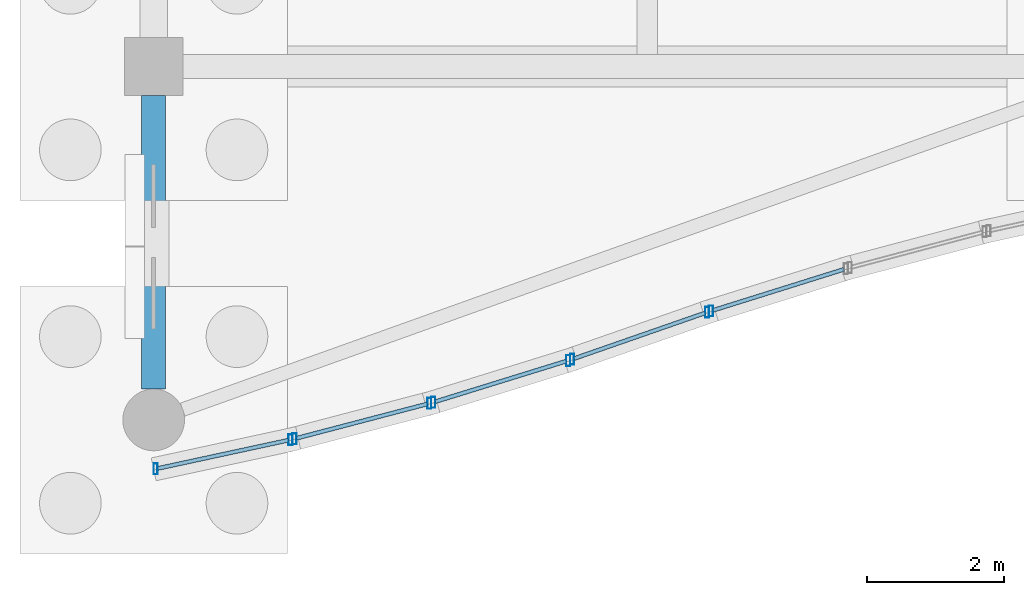
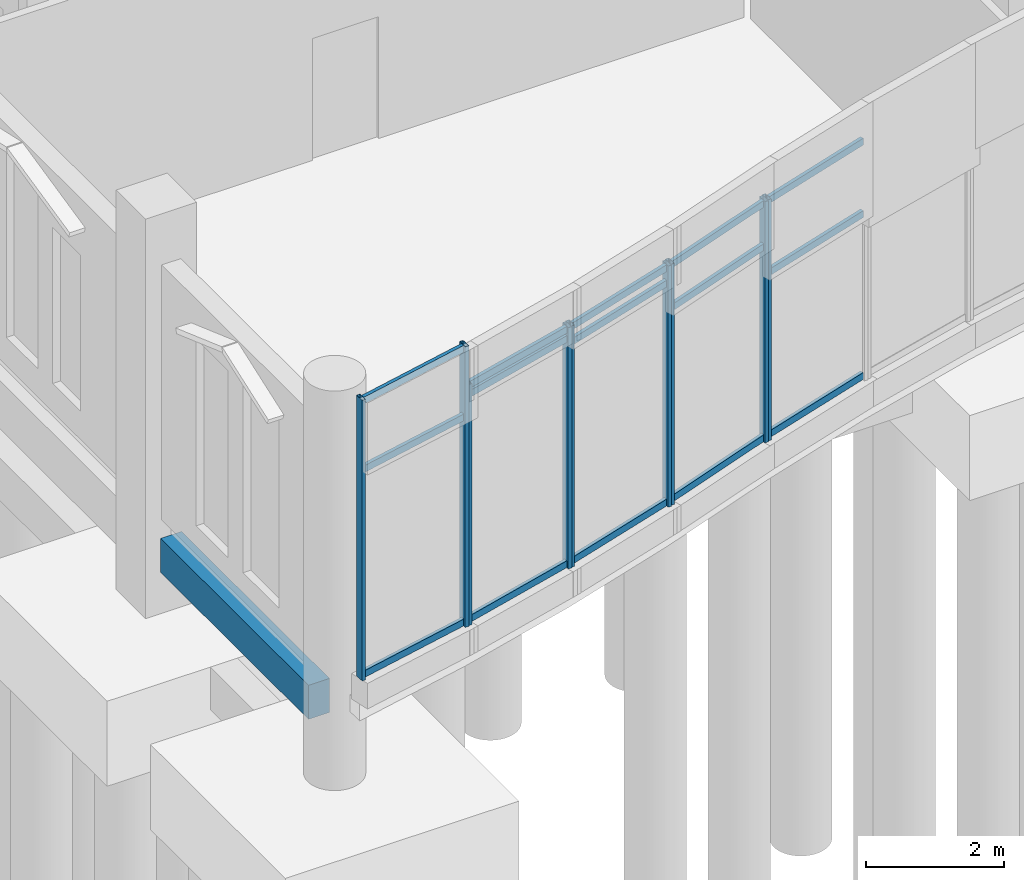
# One storey, part 20 of 192: 24 members, 1 beam, 5 elements without a shape of their own.
"""IFC4 building model written with IfcOpenShell, lengths in metres."""

from ifc_helpers import new_model, si_unit, direction, frame, origin, origin_2d, place, context, subcontext, project, spatial, rectangle, hollow_rectangle, extrude, material, material_profile, profile_set, type_object, element, aggregate, save


model = new_model("IFC4")

# Units and contexts
model_context = context("Model", 3, precision=1e-05, world=origin(), true_north=direction((0.0, 1.0)))
body_context = subcontext(model_context, "Body", "Model", "MODEL_VIEW")
ifc_project = project(units=[si_unit("LENGTHUNIT", "METRE"), si_unit("AREAUNIT", "SQUARE_METRE"), si_unit("VOLUMEUNIT", "CUBIC_METRE"), si_unit("PLANEANGLEUNIT", "RADIAN"), si_unit("MASSUNIT", "GRAM", prefix="KILO")], contexts=[model_context])

# Site, building, storey
site_placement = place(None, origin())
site = spatial("IfcSite", under=ifc_project, at=site_placement, CompositionType="ELEMENT")
building_placement = place(site_placement, origin())
building = spatial("IfcBuilding", under=site, at=building_placement, Name="Cendralis Lancet Convention Centre", CompositionType="ELEMENT")
storey_placement = place(building_placement, origin())
storey = spatial("IfcBuildingStorey", under=building, at=storey_placement, Name="L00", CompositionType="ELEMENT", Elevation=0.0)

# Curtain wall, members
ifc_material_1 = material(Name="Anodised bronze architectural aluminium", Category="aluminium")
curtain_wall_type = type_object("IfcCurtainWallType", Name="ARC-CW-WF01", PredefinedType="USERDEFINED", material=ifc_material_1)
curtain_wall_1_placement = place(storey_placement, origin())
curtain_wall_1 = element("IfcCurtainWall", 1, at=curtain_wall_1_placement, inside=storey, type_object=curtain_wall_type, Name="L00 Curtain Wall CW-WF1 #001", ObjectType="CURTAIN WALL", PredefinedType="USERDEFINED")
ifc_material_profile_1 = material_profile(ifc_material_1, hollow_rectangle(XDim=0.06005859375, YDim=0.159912109375, WallThickness=0.00390625, at=origin_2d()), Name="AL-MULL 60x160x4.0")
ifc_profile_set_1 = profile_set([ifc_material_profile_1], Name="Anodised bronze architectural aluminium")
member_type_1 = type_object("IfcMemberType", Name="ARC-CW-ML01", PredefinedType="MULLION", material=ifc_profile_set_1)
member_1_placement = place(storey_placement, frame((0.029296875, 1.331298828125, 0.449951171875), z_axis=(0.0, 0.0, 1.0), x_axis=(1.0, 0.0, 0.0)))
member_1 = element("IfcMember", 2, at=member_1_placement, type_object=member_type_1, Name="Mullion CW2-CW-WF1-L00-001-M0", PredefinedType="MULLION", context=body_context, shape_type="SweptSolid", body=[
    extrude(hollow_rectangle(XDim=0.06005859375, YDim=0.159912109375, WallThickness=0.00390625, at=origin_2d()), origin(), (0.0, 0.0, 1.0), 4.949951171875),
])
member_2_placement = place(storey_placement, frame((1.99560546875, 1.756591796875, 0.449951171875), z_axis=(0.0, 0.0, 1.0), x_axis=(1.0, 0.0, 0.0)))
member_2 = element("IfcMember", 3, at=member_2_placement, type_object=member_type_1, Name="Mullion CW2-CW-WF1-L00-001-M1", PredefinedType="MULLION", context=body_context, shape_type="SweptSolid", body=[
    extrude(hollow_rectangle(XDim=0.06005859375, YDim=0.159912109375, WallThickness=0.00390625, at=origin_2d()), origin(), (0.0, 0.0, 1.0), 4.949951171875),
])

curtain_wall_2_placement = place(storey_placement, origin())
curtain_wall_2 = element("IfcCurtainWall", 4, at=curtain_wall_2_placement, inside=storey, type_object=curtain_wall_type, Name="L00 Curtain Wall CW-WF1 #002", ObjectType="CURTAIN WALL", PredefinedType="USERDEFINED")
member_3_placement = place(storey_placement, frame((2.053955078125, 1.7705078125, 0.449951171875), z_axis=(0.0, 0.0, 1.0), x_axis=(1.0, 0.0, 0.0)))
member_3 = element("IfcMember", 5, at=member_3_placement, type_object=member_type_1, Name="Mullion CW2-CW-WF1-L00-002-M0", PredefinedType="MULLION", context=body_context, shape_type="SweptSolid", body=[
    extrude(hollow_rectangle(XDim=0.06005859375, YDim=0.159912109375, WallThickness=0.00390625, at=origin_2d()), origin(), (0.0, 0.0, 1.0), 4.255126953125),
])
member_4_placement = place(storey_placement, frame((4.02099609375, 2.286376953125, 0.449951171875), z_axis=(0.0, 0.0, 1.0), x_axis=(1.0, 0.0, 0.0)))
member_4 = element("IfcMember", 6, at=member_4_placement, type_object=member_type_1, Name="Mullion CW2-CW-WF1-L00-002-M1", PredefinedType="MULLION", context=body_context, shape_type="SweptSolid", body=[
    extrude(hollow_rectangle(XDim=0.06005859375, YDim=0.159912109375, WallThickness=0.00390625, at=origin_2d()), origin(), (0.0, 0.0, 1.0), 4.255126953125),
])

curtain_wall_3_placement = place(storey_placement, origin())
curtain_wall_3 = element("IfcCurtainWall", 7, at=curtain_wall_3_placement, inside=storey, type_object=curtain_wall_type, Name="L00 Curtain Wall CW-WF1 #003", ObjectType="CURTAIN WALL", PredefinedType="USERDEFINED")
member_5_placement = place(storey_placement, frame((4.07861328125, 2.302978515625, 0.449951171875), z_axis=(0.0, 0.0, 1.0), x_axis=(1.0, 0.0, 0.0)))
member_5 = element("IfcMember", 8, at=member_5_placement, type_object=member_type_1, Name="Mullion CW2-CW-WF1-L00-003-M0", PredefinedType="MULLION", context=body_context, shape_type="SweptSolid", body=[
    extrude(hollow_rectangle(XDim=0.06005859375, YDim=0.159912109375, WallThickness=0.00390625, at=origin_2d()), origin(), (0.0, 0.0, 1.0), 4.255126953125),
])
member_6_placement = place(storey_placement, frame((6.04736328125, 2.912109375, 0.449951171875), z_axis=(0.0, 0.0, 1.0), x_axis=(1.0, 0.0, 0.0)))
member_6 = element("IfcMember", 9, at=member_6_placement, type_object=member_type_1, Name="Mullion CW2-CW-WF1-L00-003-M1", PredefinedType="MULLION", context=body_context, shape_type="SweptSolid", body=[
    extrude(hollow_rectangle(XDim=0.06005859375, YDim=0.159912109375, WallThickness=0.00390625, at=origin_2d()), origin(), (0.0, 0.0, 1.0), 4.255126953125),
])

curtain_wall_4_placement = place(storey_placement, origin())
curtain_wall_4 = element("IfcCurtainWall", 10, at=curtain_wall_4_placement, inside=storey, type_object=curtain_wall_type, Name="L00 Curtain Wall CW-WF1 #004", ObjectType="CURTAIN WALL", PredefinedType="USERDEFINED")
member_7_placement = place(storey_placement, frame((6.104248046875, 2.930908203125, 0.449951171875), z_axis=(0.0, 0.0, 1.0), x_axis=(1.0, 0.0, 0.0)))
member_7 = element("IfcMember", 11, at=member_7_placement, type_object=member_type_1, Name="Mullion CW2-CW-WF1-L00-004-M0", PredefinedType="MULLION", context=body_context, shape_type="SweptSolid", body=[
    extrude(hollow_rectangle(XDim=0.06005859375, YDim=0.159912109375, WallThickness=0.00390625, at=origin_2d()), origin(), (0.0, 0.0, 1.0), 4.255126953125),
])
member_8_placement = place(storey_placement, frame((8.07275390625, 3.6162109375, 0.449951171875), z_axis=(0.0, 0.0, 1.0), x_axis=(1.0, 0.0, 0.0)))
member_8 = element("IfcMember", 12, at=member_8_placement, type_object=member_type_1, Name="Mullion CW2-CW-WF1-L00-004-M1", PredefinedType="MULLION", context=body_context, shape_type="SweptSolid", body=[
    extrude(hollow_rectangle(XDim=0.06005859375, YDim=0.159912109375, WallThickness=0.00390625, at=origin_2d()), origin(), (0.0, 0.0, 1.0), 4.255126953125),
])

# Curtain wall, member
curtain_wall_5_placement = place(storey_placement, origin())
curtain_wall_5 = element("IfcCurtainWall", 13, at=curtain_wall_5_placement, inside=storey, type_object=curtain_wall_type, Name="L00 Curtain Wall CW-WF1 #005", ObjectType="CURTAIN WALL", PredefinedType="USERDEFINED")
member_9_placement = place(storey_placement, frame((8.129638671875, 3.635009765625, 0.449951171875), z_axis=(0.0, 0.0, 1.0), x_axis=(1.0, 0.0, 0.0)))
member_9 = element("IfcMember", 14, at=member_9_placement, type_object=member_type_1, Name="Mullion CW2-CW-WF1-L00-005-M0", PredefinedType="MULLION", context=body_context, shape_type="SweptSolid", body=[
    extrude(hollow_rectangle(XDim=0.06005859375, YDim=0.159912109375, WallThickness=0.00390625, at=origin_2d()), origin(), (0.0, 0.0, 1.0), 4.255126953125),
])

# Member
ifc_material_profile_2 = material_profile(ifc_material_1, hollow_rectangle(XDim=0.06005859375, YDim=0.1201171875, WallThickness=0.00390625, at=origin_2d()), Name="AL-TRAN 60x120x4.0")
ifc_profile_set_2 = profile_set([ifc_material_profile_2], Name="Anodised bronze architectural aluminium")
member_type_2 = type_object("IfcMemberType", Name="ARC-CW-TR01", PredefinedType="USERDEFINED", material=ifc_profile_set_2)
member_10_placement = place(storey_placement, frame((0.05859375, 1.337646484375, 0.510009765625), z_axis=(0.977401594271, 0.211390925815, 0.0), x_axis=(-0.211390925815, 0.977401594271, 0.0)))
member_10 = element("IfcMember", 15, at=member_10_placement, type_object=member_type_2, Name="Transom CW2-CW-WF1-L00-001-T0BOT", ObjectType="TRANSOM", PredefinedType="USERDEFINED", context=body_context, shape_type="SweptSolid", body=[
    extrude(hollow_rectangle(XDim=0.06005859375, YDim=0.1201171875, WallThickness=0.00390625, at=origin_2d()), origin(), (0.0, 0.0, 1.0), 1.951904296875),
])

member_11_placement = place(storey_placement, frame((0.05859375, 1.337646484375, 4.1279296875), z_axis=(0.977401594271, 0.211390925815, 0.0), x_axis=(-0.211390925815, 0.977401594271, 0.0)))
member_11 = element("IfcMember", 16, at=member_11_placement, type_object=member_type_2, Name="Transom CW2-CW-WF1-L00-001-T0MID", ObjectType="TRANSOM", PredefinedType="USERDEFINED", context=body_context, shape_type="SweptSolid", body=[
    extrude(hollow_rectangle(XDim=0.06005859375, YDim=0.1201171875, WallThickness=0.00390625, at=origin_2d()), origin(), (0.0, 0.0, 1.0), 1.951904296875),
])

member_12_placement = place(storey_placement, frame((0.05859375, 1.337646484375, 5.340087890625), z_axis=(0.977401594271, 0.211390925815, 0.0), x_axis=(-0.211390925815, 0.977401594271, 0.0)))
member_12 = element("IfcMember", 17, at=member_12_placement, type_object=member_type_2, Name="Transom CW2-CW-WF1-L00-001-T0TOP", ObjectType="TRANSOM", PredefinedType="USERDEFINED", context=body_context, shape_type="SweptSolid", body=[
    extrude(hollow_rectangle(XDim=0.06005859375, YDim=0.1201171875, WallThickness=0.00390625, at=origin_2d()), origin(), (0.0, 0.0, 1.0), 1.951904296875),
])

aggregate(curtain_wall_1, [member_1, member_2, member_10, member_11, member_12])

member_13_placement = place(storey_placement, frame((2.0830078125, 1.7783203125, 0.510009765625), z_axis=(0.967306495361, 0.253610220679, 0.0), x_axis=(-0.253610220679, 0.967306495361, 0.0)))
member_13 = element("IfcMember", 18, at=member_13_placement, type_object=member_type_2, Name="Transom CW2-CW-WF1-L00-002-T0BOT", ObjectType="TRANSOM", PredefinedType="USERDEFINED", context=body_context, shape_type="SweptSolid", body=[
    extrude(hollow_rectangle(XDim=0.06005859375, YDim=0.1201171875, WallThickness=0.00390625, at=origin_2d()), origin(), (0.0, 0.0, 1.0), 1.973388671875),
])

member_14_placement = place(storey_placement, frame((2.0830078125, 1.7783203125, 4.48193359375), z_axis=(0.967306495361, 0.253610220679, 0.0), x_axis=(-0.253610220679, 0.967306495361, 0.0)))
member_14 = element("IfcMember", 19, at=member_14_placement, type_object=member_type_2, Name="Transom CW2-CW-WF1-L00-002-T0MID", ObjectType="TRANSOM", PredefinedType="USERDEFINED", context=body_context, shape_type="SweptSolid", body=[
    extrude(hollow_rectangle(XDim=0.06005859375, YDim=0.1201171875, WallThickness=0.00390625, at=origin_2d()), origin(), (0.0, 0.0, 1.0), 1.973388671875),
])

member_15_placement = place(storey_placement, frame((2.0830078125, 1.7783203125, 4.64501953125), z_axis=(0.967306495361, 0.253610220679, 0.0), x_axis=(-0.253610220679, 0.967306495361, 0.0)))
member_15 = element("IfcMember", 20, at=member_15_placement, type_object=member_type_2, Name="Transom CW2-CW-WF1-L00-002-T0TOP", ObjectType="TRANSOM", PredefinedType="USERDEFINED", context=body_context, shape_type="SweptSolid", body=[
    extrude(hollow_rectangle(XDim=0.06005859375, YDim=0.1201171875, WallThickness=0.00390625, at=origin_2d()), origin(), (0.0, 0.0, 1.0), 1.973388671875),
])

aggregate(curtain_wall_2, [member_3, member_4, member_13, member_14, member_15])

member_16_placement = place(storey_placement, frame((4.107421875, 2.311767578125, 0.510009765625), z_axis=(0.955294917078, 0.295654564322, 0.0), x_axis=(-0.295654564322, 0.955294917078, 0.0)))
member_16 = element("IfcMember", 21, at=member_16_placement, type_object=member_type_2, Name="Transom CW2-CW-WF1-L00-003-T0BOT", ObjectType="TRANSOM", PredefinedType="USERDEFINED", context=body_context, shape_type="SweptSolid", body=[
    extrude(hollow_rectangle(XDim=0.06005859375, YDim=0.1201171875, WallThickness=0.00390625, at=origin_2d()), origin(), (0.0, 0.0, 1.0), 2.000732421875),
])

member_17_placement = place(storey_placement, frame((4.107421875, 2.311767578125, 4.373046875), z_axis=(0.955294917078, 0.295654564322, 0.0), x_axis=(-0.295654564322, 0.955294917078, 0.0)))
member_17 = element("IfcMember", 22, at=member_17_placement, type_object=member_type_2, Name="Transom CW2-CW-WF1-L00-003-T0MID", ObjectType="TRANSOM", PredefinedType="USERDEFINED", context=body_context, shape_type="SweptSolid", body=[
    extrude(hollow_rectangle(XDim=0.06005859375, YDim=0.1201171875, WallThickness=0.00390625, at=origin_2d()), origin(), (0.0, 0.0, 1.0), 2.000732421875),
])

member_18_placement = place(storey_placement, frame((4.107421875, 2.311767578125, 4.64501953125), z_axis=(0.955294917078, 0.295654564322, 0.0), x_axis=(-0.295654564322, 0.955294917078, 0.0)))
member_18 = element("IfcMember", 23, at=member_18_placement, type_object=member_type_2, Name="Transom CW2-CW-WF1-L00-003-T0TOP", ObjectType="TRANSOM", PredefinedType="USERDEFINED", context=body_context, shape_type="SweptSolid", body=[
    extrude(hollow_rectangle(XDim=0.06005859375, YDim=0.1201171875, WallThickness=0.00390625, at=origin_2d()), origin(), (0.0, 0.0, 1.0), 2.000732421875),
])

aggregate(curtain_wall_3, [member_5, member_6, member_16, member_17, member_18])

member_19_placement = place(storey_placement, frame((6.1328125, 2.940673828125, 0.510009765625), z_axis=(0.94438934135, 0.328829396413, 0.0), x_axis=(-0.328829396413, 0.94438934135, 0.0)))
member_19 = element("IfcMember", 24, at=member_19_placement, type_object=member_type_2, Name="Transom CW2-CW-WF1-L00-004-T0BOT", ObjectType="TRANSOM", PredefinedType="USERDEFINED", context=body_context, shape_type="SweptSolid", body=[
    extrude(hollow_rectangle(XDim=0.06005859375, YDim=0.1201171875, WallThickness=0.00390625, at=origin_2d()), origin(), (0.0, 0.0, 1.0), 2.02392578125),
])

member_20_placement = place(storey_placement, frame((6.1328125, 2.940673828125, 3.881103515625), z_axis=(0.94438934135, 0.328829396413, 0.0), x_axis=(-0.328829396413, 0.94438934135, 0.0)))
member_20 = element("IfcMember", 25, at=member_20_placement, type_object=member_type_2, Name="Transom CW2-CW-WF1-L00-004-T0MID", ObjectType="TRANSOM", PredefinedType="USERDEFINED", context=body_context, shape_type="SweptSolid", body=[
    extrude(hollow_rectangle(XDim=0.06005859375, YDim=0.1201171875, WallThickness=0.00390625, at=origin_2d()), origin(), (0.0, 0.0, 1.0), 2.02392578125),
])

member_21_placement = place(storey_placement, frame((6.1328125, 2.940673828125, 4.64501953125), z_axis=(0.94438934135, 0.328829396413, 0.0), x_axis=(-0.328829396413, 0.94438934135, 0.0)))
member_21 = element("IfcMember", 26, at=member_21_placement, type_object=member_type_2, Name="Transom CW2-CW-WF1-L00-004-T0TOP", ObjectType="TRANSOM", PredefinedType="USERDEFINED", context=body_context, shape_type="SweptSolid", body=[
    extrude(hollow_rectangle(XDim=0.06005859375, YDim=0.1201171875, WallThickness=0.00390625, at=origin_2d()), origin(), (0.0, 0.0, 1.0), 2.02392578125),
])

aggregate(curtain_wall_4, [member_7, member_8, member_19, member_20, member_21])

member_22_placement = place(storey_placement, frame((8.158203125, 3.643798828125, 0.510009765625), z_axis=(0.954282300469, 0.298906826639, 0.0), x_axis=(-0.298906826639, 0.954282300469, 0.0)))
member_22 = element("IfcMember", 27, at=member_22_placement, type_object=member_type_2, Name="Transom CW2-CW-WF1-L00-005-T0BOT", ObjectType="TRANSOM", PredefinedType="USERDEFINED", context=body_context, shape_type="SweptSolid", body=[
    extrude(hollow_rectangle(XDim=0.06005859375, YDim=0.1201171875, WallThickness=0.00390625, at=origin_2d()), origin(), (0.0, 0.0, 1.0), 2.001953125),
])

member_23_placement = place(storey_placement, frame((8.158203125, 3.643798828125, 3.366943359375), z_axis=(0.954282300469, 0.298906826639, 0.0), x_axis=(-0.298906826639, 0.954282300469, 0.0)))
member_23 = element("IfcMember", 28, at=member_23_placement, type_object=member_type_2, Name="Transom CW2-CW-WF1-L00-005-T0MID", ObjectType="TRANSOM", PredefinedType="USERDEFINED", context=body_context, shape_type="SweptSolid", body=[
    extrude(hollow_rectangle(XDim=0.06005859375, YDim=0.1201171875, WallThickness=0.00390625, at=origin_2d()), origin(), (0.0, 0.0, 1.0), 2.001953125),
])

member_24_placement = place(storey_placement, frame((8.158203125, 3.643798828125, 4.64501953125), z_axis=(0.954282300469, 0.298906826639, 0.0), x_axis=(-0.298906826639, 0.954282300469, 0.0)))
member_24 = element("IfcMember", 29, at=member_24_placement, type_object=member_type_2, Name="Transom CW2-CW-WF1-L00-005-T0TOP", ObjectType="TRANSOM", PredefinedType="USERDEFINED", context=body_context, shape_type="SweptSolid", body=[
    extrude(hollow_rectangle(XDim=0.06005859375, YDim=0.1201171875, WallThickness=0.00390625, at=origin_2d()), origin(), (0.0, 0.0, 1.0), 2.001953125),
])

aggregate(curtain_wall_5, [member_9, member_22, member_23, member_24])

# Beam
ifc_material_2 = material(Name="Concrete G35 (C35/45)", Category="concrete")
ifc_material_profile_3 = material_profile(ifc_material_2, rectangle(XDim=0.35009765625, YDim=0.60009765625, at=origin_2d()), Name="RCB 350x600")
ifc_profile_set_3 = profile_set([ifc_material_profile_3], Name="Concrete G35 (C35/45)")
beam_type = type_object("IfcBeamType", Name="STR-BM-BG16", PredefinedType="BEAM", material=ifc_profile_set_3)
beam_placement = place(storey_placement, frame((0.0, 2.495361328125, -0.6201171875), z_axis=(0.0, 1.0, 0.0), x_axis=(-1.0, 0.0, 0.0)))
element("IfcBeam", 30, at=beam_placement, inside=storey, type_object=beam_type, Name="L00 Beam BG16 #1020", PredefinedType="BEAM", context=body_context, shape_type="SweptSolid", body=[
    extrude(rectangle(XDim=0.35009765625, YDim=0.60009765625, at=origin_2d()), origin(), (0.0, 0.0, 1.0), 4.279541015625),
])

save(model, "model.ifc")
